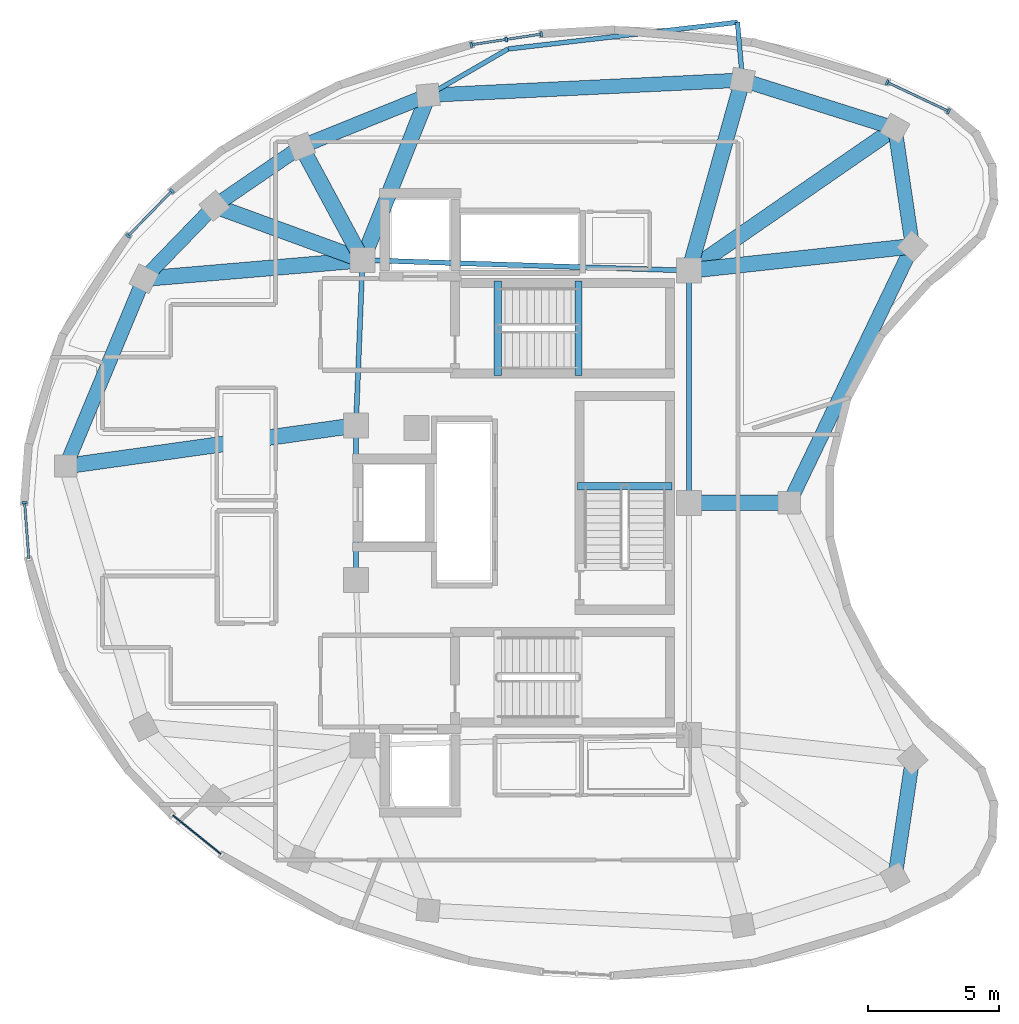
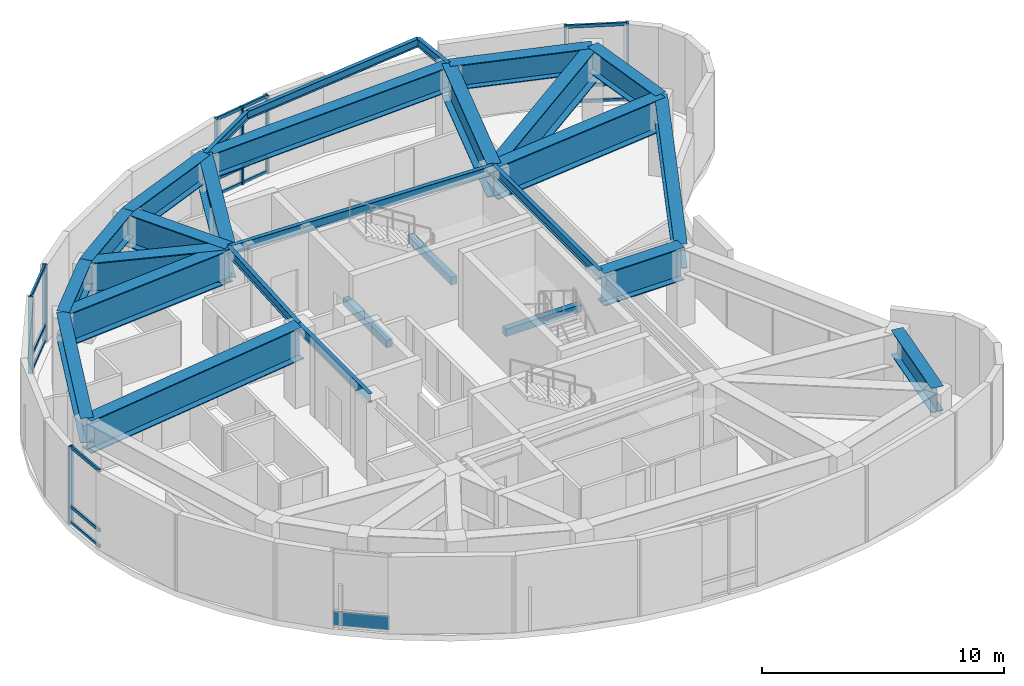
# One storey, part 2 of 8: 28 beams, 23 members, 1 plate, 5 elements without a shape of their own.
"""IFC4 building model written with IfcOpenShell, lengths in metres."""

from ifc_helpers import new_model, si_unit, direction, frame, origin, origin_2d, place, context, subcontext, project, spatial, rectangle, i_section, extrude, material, layer, layer_set, material_profile, profile_set, type_object, element, aggregate, save


model = new_model("IFC4")

# Units and contexts
model_context = context("Model", 3, precision=1e-05, world=origin(), true_north=direction((0.0, 1.0)))
body_context = subcontext(model_context, "Body", "Model", "MODEL_VIEW")
ifc_project = project(units=[si_unit("LENGTHUNIT", "METRE"), si_unit("AREAUNIT", "SQUARE_METRE"), si_unit("VOLUMEUNIT", "CUBIC_METRE"), si_unit("PLANEANGLEUNIT", "RADIAN"), si_unit("MASSUNIT", "GRAM", prefix="KILO")], contexts=[model_context])

# Site, building, storey
site_placement = place(None, origin())
site = spatial("IfcSite", under=ifc_project, at=site_placement, CompositionType="ELEMENT")
building_placement = place(site_placement, origin())
building = spatial("IfcBuilding", under=site, at=building_placement, Name="Korentha Bioscience Tower", CompositionType="ELEMENT")
storey_placement = place(building_placement, frame((0.0, 0.0, 301.800048828125)))
storey = spatial("IfcBuildingStorey", under=building, at=storey_placement, Name="L69", CompositionType="ELEMENT", Elevation=301.800048828125)

# Beams
ifc_material_1 = material(Name="Concrete C50", Category="concrete")
ifc_material_profile_1 = material_profile(ifc_material_1, rectangle(XDim=0.280029296875, YDim=0.3798828125, at=origin_2d()), Name="Concrete C50")
ifc_profile_set_1 = profile_set([ifc_material_profile_1], Name="Concrete C50 (ST-HB380)")
beam_type_1 = type_object("IfcBeamType", Name="Concrete Stair Header Beam RC 280x380", PredefinedType="BEAM", material=ifc_profile_set_1)
for number, where, z_axis, x_axis, name in (
    (1, (30.25, 31.85009765625, -0.18994140625), (0.0, 1.0, 0.0), (-1.0, 0.0, 0.0), "L69 ST-1 Concrete Stair Header Beam"),
    (2, (33.330078125, 31.85009765625, 1.909912109375), (0.0, 1.0, 0.0), (-1.0, 0.0, 0.0), "L69 ST-1 Half-Landing Header Beam 1"),
    (3, (36.89990234375, 27.6298828125, 1.909912109375), (-1.0, 0.0, 0.0), (0.0, -1.0, 0.0), "L69 ST-3 Half-Landing Header Beam 1"),
):
    element("IfcBeam", number, at=place(storey_placement, frame(where, z_axis=z_axis, x_axis=x_axis)), inside=storey, type_object=beam_type_1, Name=name, PredefinedType="BEAM", context=body_context, shape_type="SweptSolid", body=[
        extrude(rectangle(XDim=0.280029296875, YDim=0.3798828125, at=origin_2d()), origin(), (0.0, 0.0, 1.0), 3.599853515625),
    ])
ifc_material_2 = material(Name="Steel S355", Category="steel")
ifc_material_profile_2 = material_profile(ifc_material_2, i_section(OverallWidth=0.550048828125, OverallDepth=1.25, WebThickness=0.02392578125, FlangeThickness=0.0400390625, at=origin_2d()), Name="Steel S355")
ifc_profile_set_2 = profile_set([ifc_material_profile_2], Name="Steel S355 (TG-03)")
beam_type_2 = type_object("IfcBeamType", Name="Crown Step Transfer Girder CVS 1250x510", PredefinedType="USERDEFINED", material=ifc_profile_set_2)
beam_1_placement = place(storey_placement, frame((45.393310546875, 41.273681640625, 3.27490234375), z_axis=(-0.953502720539, 0.301384408895, 0.0), x_axis=(-0.301384408895, -0.953502720539, 0.0)))
element("IfcBeam", 4, at=beam_1_placement, inside=storey, type_object=beam_type_2, Name="L69 Perimeter Spandrel Girder 01", ObjectType="TRANSFER_GIRDER", PredefinedType="USERDEFINED", context=body_context, shape_type="SweptSolid", body=[
    extrude(i_section(OverallWidth=0.550048828125, OverallDepth=1.25, WebThickness=0.02392578125, FlangeThickness=0.0400390625, at=origin_2d()), origin(), (0.0, 0.0, 1.0), 6.094970703125),
])
beam_2_placement = place(storey_placement, frame((39.581787109375, 43.110595703125, 3.27490234375), z_axis=(-0.998842480099, -0.04810093502, 0.0), x_axis=(0.04810093502, -0.998842480099, 0.0)))
element("IfcBeam", 5, at=beam_2_placement, inside=storey, type_object=beam_type_2, Name="L69 Perimeter Spandrel Girder 02", ObjectType="TRANSFER_GIRDER", PredefinedType="USERDEFINED", context=body_context, shape_type="SweptSolid", body=[
    extrude(i_section(OverallWidth=0.550048828125, OverallDepth=1.25, WebThickness=0.02392578125, FlangeThickness=0.0400390625, at=origin_2d()), origin(), (0.0, 0.0, 1.0), 11.99365234375),
])
beam_3_placement = place(storey_placement, frame((27.60205078125, 42.53369140625, 3.27490234375), z_axis=(-0.92709518526, -0.374825982913, 0.0), x_axis=(0.374825982913, -0.92709518526, 0.0)))
element("IfcBeam", 6, at=beam_3_placement, inside=storey, type_object=beam_type_2, Name="L69 Perimeter Spandrel Girder 03", ObjectType="TRANSFER_GIRDER", PredefinedType="USERDEFINED", context=body_context, shape_type="SweptSolid", body=[
    extrude(i_section(OverallWidth=0.550048828125, OverallDepth=1.25, WebThickness=0.02392578125, FlangeThickness=0.0400390625, at=origin_2d()), origin(), (0.0, 0.0, 1.0), 5.216064453125),
])
beam_4_placement = place(storey_placement, frame((22.766357421875, 40.57861328125, 3.27490234375), z_axis=(-0.825502824703, -0.564397985828, 0.0), x_axis=(0.564397985828, -0.825502824703, 0.0)))
element("IfcBeam", 7, at=beam_4_placement, inside=storey, type_object=beam_type_2, Name="L69 Perimeter Spandrel Girder 04", ObjectType="TRANSFER_GIRDER", PredefinedType="USERDEFINED", context=body_context, shape_type="SweptSolid", body=[
    extrude(i_section(OverallWidth=0.550048828125, OverallDepth=1.25, WebThickness=0.02392578125, FlangeThickness=0.0400390625, at=origin_2d()), origin(), (0.0, 0.0, 1.0), 4.01025390625),
])
beam_5_placement = place(storey_placement, frame((19.455810546875, 38.315185546875, 3.27490234375), z_axis=(-0.695771790517, -0.718262915317, 0.0), x_axis=(0.718262915317, -0.695771790517, 0.0)))
element("IfcBeam", 8, at=beam_5_placement, inside=storey, type_object=beam_type_2, Name="L69 Perimeter Spandrel Girder 05", ObjectType="TRANSFER_GIRDER", PredefinedType="USERDEFINED", context=body_context, shape_type="SweptSolid", body=[
    extrude(i_section(OverallWidth=0.550048828125, OverallDepth=1.25, WebThickness=0.02392578125, FlangeThickness=0.0400390625, at=origin_2d()), origin(), (0.0, 0.0, 1.0), 3.8642578125),
])
beam_6_placement = place(storey_placement, frame((16.76708984375, 35.53955078125, 3.27490234375), z_axis=(-0.384693811758, -0.923044241191, 0.0), x_axis=(0.923044241191, -0.384693811758, 0.0)))
element("IfcBeam", 9, at=beam_6_placement, inside=storey, type_object=beam_type_2, Name="L69 Perimeter Spandrel Girder 06", ObjectType="TRANSFER_GIRDER", PredefinedType="USERDEFINED", context=body_context, shape_type="SweptSolid", body=[
    extrude(i_section(OverallWidth=0.550048828125, OverallDepth=1.25, WebThickness=0.02392578125, FlangeThickness=0.0400390625, at=origin_2d()), origin(), (0.0, 0.0, 1.0), 7.736328125),
])
beam_7_placement = place(storey_placement, frame((45.393310546875, 12.726318359375, 3.27490234375), z_axis=(0.146840630252, 0.989160163627, 0.0), x_axis=(-0.989160163627, 0.146840630252, 0.0)))
element("IfcBeam", 10, at=beam_7_placement, inside=storey, type_object=beam_type_2, Name="L69 Perimeter Spandrel Girder 13", ObjectType="TRANSFER_GIRDER", PredefinedType="USERDEFINED", context=body_context, shape_type="SweptSolid", body=[
    extrude(i_section(OverallWidth=0.550048828125, OverallDepth=1.25, WebThickness=0.02392578125, FlangeThickness=0.0400390625, at=origin_2d()), origin(), (0.0, 0.0, 1.0), 4.545654296875),
])
beam_8_placement = place(storey_placement, frame((41.36572265625, 27.0, 3.27490234375), z_axis=(0.432876684637, 0.901453146812, 0.0), x_axis=(-0.901453146812, 0.432876684637, 0.0)))
element("IfcBeam", 11, at=beam_8_placement, inside=storey, type_object=beam_type_2, Name="L69 Perimeter Spandrel Girder 15", ObjectType="TRANSFER_GIRDER", PredefinedType="USERDEFINED", context=body_context, shape_type="SweptSolid", body=[
    extrude(i_section(OverallWidth=0.550048828125, OverallDepth=1.25, WebThickness=0.02392578125, FlangeThickness=0.0400390625, at=origin_2d()), origin(), (0.0, 0.0, 1.0), 10.84619140625),
])
beam_9_placement = place(storey_placement, frame((46.060791015625, 36.77734375, 3.27490234375), z_axis=(-0.146840630252, 0.989160163627, 0.0), x_axis=(-0.989160163627, -0.146840630252, 0.0)))
element("IfcBeam", 12, at=beam_9_placement, inside=storey, type_object=beam_type_2, Name="L69 Perimeter Spandrel Girder 16", ObjectType="TRANSFER_GIRDER", PredefinedType="USERDEFINED", context=body_context, shape_type="SweptSolid", body=[
    extrude(i_section(OverallWidth=0.550048828125, OverallDepth=1.25, WebThickness=0.02392578125, FlangeThickness=0.0400390625, at=origin_2d()), origin(), (0.0, 0.0, 1.0), 4.545654296875),
])
ifc_material_profile_3 = material_profile(ifc_material_2, i_section(OverallWidth=0.60009765625, OverallDepth=1.64990234375, WebThickness=0.02587890625, FlangeThickness=0.0439453125, at=origin_2d()), Name="Steel S355")
ifc_profile_set_3 = profile_set([ifc_material_profile_3], Name="Steel S355 (TG-04)")
beam_type_3 = type_object("IfcBeamType", Name="Deep Setback Transfer Girder CVS 1650x620", PredefinedType="USERDEFINED", material=ifc_profile_set_3)
beam_10_placement = place(storey_placement, frame((37.550048828125, 35.85009765625, 3.074951171875), z_axis=(0.822504520154, 0.56875857297, 0.0), x_axis=(-0.56875857297, 0.822504520154, 0.0)))
element("IfcBeam", 13, at=beam_10_placement, inside=storey, type_object=beam_type_3, Name="L69 Radial Transfer Girder 01", ObjectType="TRANSFER_GIRDER", PredefinedType="USERDEFINED", context=body_context, shape_type="SweptSolid", body=[
    extrude(i_section(OverallWidth=0.60009765625, OverallDepth=1.64990234375, WebThickness=0.02587890625, FlangeThickness=0.0439453125, at=origin_2d()), origin(), (0.0, 0.0, 1.0), 9.535888671875),
])
beam_11_placement = place(storey_placement, frame((37.550048828125, 35.85009765625, 3.074951171875), z_axis=(0.269482185926, 0.963005374579, 0.0), x_axis=(-0.963005374579, 0.269482185926, 0.0)))
element("IfcBeam", 14, at=beam_11_placement, inside=storey, type_object=beam_type_3, Name="L69 Radial Transfer Girder 02", ObjectType="TRANSFER_GIRDER", PredefinedType="USERDEFINED", context=body_context, shape_type="SweptSolid", body=[
    extrude(i_section(OverallWidth=0.60009765625, OverallDepth=1.64990234375, WebThickness=0.02587890625, FlangeThickness=0.0439453125, at=origin_2d()), origin(), (0.0, 0.0, 1.0), 7.539306640625),
])
beam_12_placement = place(storey_placement, frame((25.10009765625, 36.25, 3.074951171875), z_axis=(0.369921439624, 0.929063037962, 0.0), x_axis=(-0.929063037962, 0.369921439624, 0.0)))
element("IfcBeam", 15, at=beam_12_placement, inside=storey, type_object=beam_type_3, Name="L69 Radial Transfer Girder 03", ObjectType="TRANSFER_GIRDER", PredefinedType="USERDEFINED", context=body_context, shape_type="SweptSolid", body=[
    extrude(i_section(OverallWidth=0.60009765625, OverallDepth=1.64990234375, WebThickness=0.02587890625, FlangeThickness=0.0439453125, at=origin_2d()), origin(), (0.0, 0.0, 1.0), 6.763427734375),
])
beam_13_placement = place(storey_placement, frame((25.10009765625, 36.25, 3.074951171875), z_axis=(-0.474564560434, 0.88022069845, 0.0), x_axis=(-0.88022069845, -0.474564560434, 0.0)))
element("IfcBeam", 16, at=beam_13_placement, inside=storey, type_object=beam_type_3, Name="L69 Radial Transfer Girder 04", ObjectType="TRANSFER_GIRDER", PredefinedType="USERDEFINED", context=body_context, shape_type="SweptSolid", body=[
    extrude(i_section(OverallWidth=0.60009765625, OverallDepth=1.64990234375, WebThickness=0.02587890625, FlangeThickness=0.0439453125, at=origin_2d()), origin(), (0.0, 0.0, 1.0), 4.917724609375),
])
beam_14_placement = place(storey_placement, frame((25.10009765625, 36.25, 3.074951171875), z_axis=(-0.9391119825, 0.343611240104, 0.0), x_axis=(-0.343611240104, -0.9391119825, 0.0)))
element("IfcBeam", 17, at=beam_14_placement, inside=storey, type_object=beam_type_3, Name="L69 Radial Transfer Girder 05", ObjectType="TRANSFER_GIRDER", PredefinedType="USERDEFINED", context=body_context, shape_type="SweptSolid", body=[
    extrude(i_section(OverallWidth=0.60009765625, OverallDepth=1.64990234375, WebThickness=0.02587890625, FlangeThickness=0.0439453125, at=origin_2d()), origin(), (0.0, 0.0, 1.0), 6.01025390625),
])
beam_15_placement = place(storey_placement, frame((25.10009765625, 36.25, 3.074951171875), z_axis=(-0.996385295821, -0.084949056921, 0.0), x_axis=(0.084949056921, -0.996385295821, 0.0)))
element("IfcBeam", 18, at=beam_15_placement, inside=storey, type_object=beam_type_3, Name="L69 Radial Transfer Girder 06", ObjectType="TRANSFER_GIRDER", PredefinedType="USERDEFINED", context=body_context, shape_type="SweptSolid", body=[
    extrude(i_section(OverallWidth=0.60009765625, OverallDepth=1.64990234375, WebThickness=0.02587890625, FlangeThickness=0.0439453125, at=origin_2d()), origin(), (0.0, 0.0, 1.0), 8.36328125),
])
beam_16_placement = place(storey_placement, frame((24.85009765625, 29.949951171875, 3.074951171875), z_axis=(-0.99030484903, -0.138911144217, 0.0), x_axis=(0.138911144217, -0.99030484903, 0.0)))
element("IfcBeam", 19, at=beam_16_placement, inside=storey, type_object=beam_type_3, Name="L69 Radial Transfer Girder 07", ObjectType="TRANSFER_GIRDER", PredefinedType="USERDEFINED", context=body_context, shape_type="SweptSolid", body=[
    extrude(i_section(OverallWidth=0.60009765625, OverallDepth=1.64990234375, WebThickness=0.02587890625, FlangeThickness=0.0439453125, at=origin_2d()), origin(), (0.0, 0.0, 1.0), 11.167236328125),
])
beam_17_placement = place(storey_placement, frame((37.550048828125, 27.0, 3.074951171875), z_axis=(1.0, 0.0, 0.0), x_axis=(0.0, 1.0, 0.0)))
element("IfcBeam", 20, at=beam_17_placement, inside=storey, type_object=beam_type_3, Name="L69 Radial Transfer Girder 15", ObjectType="TRANSFER_GIRDER", PredefinedType="USERDEFINED", context=body_context, shape_type="SweptSolid", body=[
    extrude(i_section(OverallWidth=0.60009765625, OverallDepth=1.64990234375, WebThickness=0.02587890625, FlangeThickness=0.0439453125, at=origin_2d()), origin(), (0.0, 0.0, 1.0), 3.815673828125),
])
beam_18_placement = place(storey_placement, frame((37.550048828125, 35.85009765625, 3.074951171875), z_axis=(0.994117259507, 0.108309160975, 0.0), x_axis=(-0.108309160975, 0.994117259507, 0.0)))
element("IfcBeam", 21, at=beam_18_placement, inside=storey, type_object=beam_type_3, Name="L69 Radial Transfer Girder 16", ObjectType="TRANSFER_GIRDER", PredefinedType="USERDEFINED", context=body_context, shape_type="SweptSolid", body=[
    extrude(i_section(OverallWidth=0.60009765625, OverallDepth=1.64990234375, WebThickness=0.02587890625, FlangeThickness=0.0439453125, at=origin_2d()), origin(), (0.0, 0.0, 1.0), 8.56103515625),
])
ifc_material_profile_4 = material_profile(ifc_material_2, i_section(OverallWidth=0.18994140625, OverallDepth=0.45703125, WebThickness=0.009033203125, FlangeThickness=0.014404296875, at=origin_2d()), Name="Steel S355")
ifc_profile_set_4 = profile_set([ifc_material_profile_4], Name="Steel S355 (MB-460)")
beam_type_4 = type_object("IfcBeamType", Name="Mid-Ring Tie Girder W460x74", PredefinedType="BEAM", material=ifc_profile_set_4)
beam_19_placement = place(storey_placement, frame((37.550048828125, 35.85009765625, 3.67138671875), z_axis=(-0.999484526071, 0.032104238723, 0.0), x_axis=(-0.032104238723, -0.999484526071, 0.0)))
element("IfcBeam", 22, at=beam_19_placement, inside=storey, type_object=beam_type_4, Name="L69 Core Ring Tie Girder 01", PredefinedType="BEAM", context=body_context, shape_type="SweptSolid", body=[
    extrude(i_section(OverallWidth=0.18994140625, OverallDepth=0.45703125, WebThickness=0.009033203125, FlangeThickness=0.014404296875, at=origin_2d()), origin(), (0.0, 0.0, 1.0), 12.456298828125),
])
beam_20_placement = place(storey_placement, frame((25.10009765625, 36.25, 3.67138671875), z_axis=(-0.039651025576, -0.999213588864, 0.0), x_axis=(0.999213588864, -0.039651025576, 0.0)))
element("IfcBeam", 23, at=beam_20_placement, inside=storey, type_object=beam_type_4, Name="L69 Core Ring Tie Girder 02", PredefinedType="BEAM", context=body_context, shape_type="SweptSolid", body=[
    extrude(i_section(OverallWidth=0.18994140625, OverallDepth=0.45703125, WebThickness=0.009033203125, FlangeThickness=0.014404296875, at=origin_2d()), origin(), (0.0, 0.0, 1.0), 6.304931640625),
])
beam_21_placement = place(storey_placement, frame((24.85009765625, 29.949951171875, 3.67138671875), z_axis=(0.0, -1.0, 0.0), x_axis=(1.0, 0.0, 0.0)))
element("IfcBeam", 24, at=beam_21_placement, inside=storey, type_object=beam_type_4, Name="L69 Core Ring Tie Girder 03", PredefinedType="BEAM", context=body_context, shape_type="SweptSolid", body=[
    extrude(i_section(OverallWidth=0.18994140625, OverallDepth=0.45703125, WebThickness=0.009033203125, FlangeThickness=0.014404296875, at=origin_2d()), origin(), (0.0, 0.0, 1.0), 5.89990234375),
])
beam_22_placement = place(storey_placement, frame((37.550048828125, 27.0, 3.67138671875), z_axis=(0.0, 1.0, 0.0), x_axis=(-1.0, 0.0, 0.0)))
element("IfcBeam", 25, at=beam_22_placement, inside=storey, type_object=beam_type_4, Name="L69 Core Ring Tie Girder 07", PredefinedType="BEAM", context=body_context, shape_type="SweptSolid", body=[
    extrude(i_section(OverallWidth=0.18994140625, OverallDepth=0.45703125, WebThickness=0.009033203125, FlangeThickness=0.014404296875, at=origin_2d()), origin(), (0.0, 0.0, 1.0), 8.85009765625),
])

# Curtain wall, members
ifc_material_3 = material(Name="Thermally Broken Aluminium Frame", Category="aluminium")
ifc_layer_1 = layer(ifc_material_3, 0.219970703125, Name="Thermally Broken Aluminium Frame")
ifc_layer_set_1 = layer_set([ifc_layer_1], Name="Thermally Broken Aluminium Frame (CW-T1)")
curtain_wall_type = type_object("IfcCurtainWallType", Name="Standard Bioscience Lab Unitised Curtain Wall CW-T1", PredefinedType="USERDEFINED", material=ifc_layer_set_1)
curtain_wall_1_placement = place(storey_placement, origin())
curtain_wall_1 = element("IfcCurtainWall", 26, at=curtain_wall_1_placement, inside=storey, type_object=curtain_wall_type, Name="L69 Curtain Wall 01", ObjectType="UNITISED", PredefinedType="USERDEFINED")
ifc_material_4 = material(Name="Anodised Aluminium 6063-T6", Category="aluminium")
ifc_material_profile_5 = material_profile(ifc_material_4, rectangle(XDim=0.090087890625, YDim=0.199951171875, at=origin_2d()), Name="Anodised Aluminium 6063-T6")
ifc_profile_set_5 = profile_set([ifc_material_profile_5], Name="Anodised Aluminium 6063-T6 (CW-MUL)")
member_type_1 = type_object("IfcMemberType", Name="Mullion RECT 90x200", PredefinedType="MULLION", material=ifc_profile_set_5)
member_1_placement = place(storey_placement, frame((47.439697265625, 41.922607421875, 0.0), z_axis=(0.0, 0.0, 1.0), x_axis=(-0.904397382054, 0.426691194347, 0.0)))
member_1 = element("IfcMember", 27, at=member_1_placement, type_object=member_type_1, Name="CW-L69-01 Mullion 1", PredefinedType="MULLION", context=body_context, shape_type="SweptSolid", body=[
    extrude(rectangle(XDim=0.090087890625, YDim=0.199951171875, at=origin_2d()), origin(), (0.0, 0.0, 1.0), 3.89990234375),
])
member_2_placement = place(storey_placement, frame((45.095703125, 43.028564453125, 0.0), z_axis=(0.0, 0.0, 1.0), x_axis=(-0.904397382054, 0.426691194347, 0.0)))
member_2 = element("IfcMember", 28, at=member_2_placement, type_object=member_type_1, Name="CW-L69-01 Mullion 2", PredefinedType="MULLION", context=body_context, shape_type="SweptSolid", body=[
    extrude(rectangle(XDim=0.090087890625, YDim=0.199951171875, at=origin_2d()), origin(), (0.0, 0.0, 1.0), 3.89990234375),
])

curtain_wall_2_placement = place(storey_placement, origin())
curtain_wall_2 = element("IfcCurtainWall", 29, at=curtain_wall_2_placement, inside=storey, type_object=curtain_wall_type, Name="L69 Curtain Wall 07", ObjectType="UNITISED", PredefinedType="USERDEFINED")
member_3_placement = place(storey_placement, frame((31.914794921875, 44.864501953125, 0.0), z_axis=(0.0, 0.0, 1.0), x_axis=(-0.988621035391, -0.150427551942, 0.0)))
member_3 = element("IfcMember", 30, at=member_3_placement, type_object=member_type_1, Name="CW-L69-07 Mullion 1", PredefinedType="MULLION", context=body_context, shape_type="SweptSolid", body=[
    extrude(rectangle(XDim=0.090087890625, YDim=0.199951171875, at=origin_2d()), origin(), (0.0, 0.0, 1.0), 3.89990234375),
])
member_4_placement = place(storey_placement, frame((30.577880859375, 44.660888671875, 0.0), z_axis=(0.0, 0.0, 1.0), x_axis=(-0.988621035391, -0.150427551942, 0.0)))
member_4 = element("IfcMember", 31, at=member_4_placement, type_object=member_type_1, Name="CW-L69-07 Mullion 2", PredefinedType="MULLION", context=body_context, shape_type="SweptSolid", body=[
    extrude(rectangle(XDim=0.090087890625, YDim=0.199951171875, at=origin_2d()), origin(), (0.0, 0.0, 1.0), 3.89990234375),
])
member_5_placement = place(storey_placement, frame((29.240966796875, 44.45751953125, 0.0), z_axis=(0.0, 0.0, 1.0), x_axis=(-0.988621035391, -0.150427551942, 0.0)))
member_5 = element("IfcMember", 32, at=member_5_placement, type_object=member_type_1, Name="CW-L69-07 Mullion 3", PredefinedType="MULLION", context=body_context, shape_type="SweptSolid", body=[
    extrude(rectangle(XDim=0.090087890625, YDim=0.199951171875, at=origin_2d()), origin(), (0.0, 0.0, 1.0), 3.89990234375),
])

curtain_wall_3_placement = place(storey_placement, origin())
curtain_wall_3 = element("IfcCurtainWall", 33, at=curtain_wall_3_placement, inside=storey, type_object=curtain_wall_type, Name="L69 Curtain Wall 13", ObjectType="UNITISED", PredefinedType="USERDEFINED")
member_6_placement = place(storey_placement, frame((17.836181640625, 38.886474609375, 0.0), z_axis=(0.0, 0.0, 1.0), x_axis=(-0.697567217128, -0.716519349067, 0.0)))
member_6 = element("IfcMember", 34, at=member_6_placement, type_object=member_type_1, Name="CW-L69-13 Mullion 1", PredefinedType="MULLION", context=body_context, shape_type="SweptSolid", body=[
    extrude(rectangle(XDim=0.090087890625, YDim=0.199951171875, at=origin_2d()), origin(), (0.0, 0.0, 1.0), 3.89990234375),
])
member_7_placement = place(storey_placement, frame((16.16552734375, 37.170166015625, 0.0), z_axis=(0.0, 0.0, 1.0), x_axis=(-0.697567217128, -0.716519349067, 0.0)))
member_7 = element("IfcMember", 35, at=member_7_placement, type_object=member_type_1, Name="CW-L69-13 Mullion 2", PredefinedType="MULLION", context=body_context, shape_type="SweptSolid", body=[
    extrude(rectangle(XDim=0.090087890625, YDim=0.199951171875, at=origin_2d()), origin(), (0.0, 0.0, 1.0), 3.89990234375),
])

# Curtain wall, member
curtain_wall_4_placement = place(storey_placement, origin())
curtain_wall_4 = element("IfcCurtainWall", 36, at=curtain_wall_4_placement, inside=storey, type_object=curtain_wall_type, Name="L69 Curtain Wall 19", ObjectType="UNITISED", PredefinedType="USERDEFINED")
member_8_placement = place(storey_placement, frame((12.220947265625, 27.007080078125, 0.0), z_axis=(0.0, 0.0, 1.0), x_axis=(0.075073021346, -0.997178039001, 0.0)))
member_8 = element("IfcMember", 37, at=member_8_placement, type_object=member_type_1, Name="CW-L69-19 Mullion 1", PredefinedType="MULLION", context=body_context, shape_type="SweptSolid", body=[
    extrude(rectangle(XDim=0.090087890625, YDim=0.199951171875, at=origin_2d()), origin(), (0.0, 0.0, 1.0), 3.89990234375),
])

# Beams
ifc_material_profile_6 = material_profile(ifc_material_2, i_section(OverallWidth=0.177978515625, OverallDepth=0.406982421875, WebThickness=0.0078125, FlangeThickness=0.0126953125, at=origin_2d()), Name="Steel S355")
ifc_profile_set_6 = profile_set([ifc_material_profile_6], Name="Steel S355 (CB-410)")
beam_type_5 = type_object("IfcBeamType", Name="Sun-Ledge Cantilever Beam W410x60", PredefinedType="BEAM", material=ifc_profile_set_6)
beam_23_placement = place(storey_placement, frame((39.581787109375, 43.110595703125, 3.698486328125), z_axis=(-0.086253121859, 0.996273255171, 0.0), x_axis=(-0.996273255171, -0.086253121859, 0.0)))
element("IfcBeam", 38, at=beam_23_placement, inside=storey, type_object=beam_type_5, Name="L69 Balcony Cantilever Bracket A-L70-01", PredefinedType="BEAM", context=body_context, shape_type="SweptSolid", body=[
    extrude(i_section(OverallWidth=0.177978515625, OverallDepth=0.406982421875, WebThickness=0.0078125, FlangeThickness=0.0126953125, at=origin_2d()), origin(), (0.0, 0.0, 1.0), 2.210693359375),
])
beam_24_placement = place(storey_placement, frame((27.60205078125, 42.53369140625, 3.698486328125), z_axis=(0.865459524013, 0.500978854139, 0.0), x_axis=(-0.500978854139, 0.865459524013, 0.0)))
element("IfcBeam", 39, at=beam_24_placement, inside=storey, type_object=beam_type_5, Name="L69 Balcony Cantilever Bracket B-L70-01", PredefinedType="BEAM", context=body_context, shape_type="SweptSolid", body=[
    extrude(i_section(OverallWidth=0.177978515625, OverallDepth=0.406982421875, WebThickness=0.0078125, FlangeThickness=0.0126953125, at=origin_2d()), origin(), (0.0, 0.0, 1.0), 3.52001953125),
])
beam_25_placement = place(storey_placement, frame((39.39111328125, 45.31298828125, 3.698486328125), z_axis=(-0.993316776141, -0.115420025287, 0.0), x_axis=(0.115420025287, -0.993316776141, 0.0)))
element("IfcBeam", 40, at=beam_25_placement, inside=storey, type_object=beam_type_5, Name="L69 Balcony Edge Trimmer Beam L70-01", PredefinedType="BEAM", context=body_context, shape_type="SweptSolid", body=[
    extrude(i_section(OverallWidth=0.177978515625, OverallDepth=0.406982421875, WebThickness=0.0078125, FlangeThickness=0.0126953125, at=origin_2d()), origin(), (0.0, 0.0, 1.0), 8.801513671875),
])

# Member
ifc_material_profile_7 = material_profile(ifc_material_4, rectangle(XDim=0.090087890625, YDim=0.159912109375, at=origin_2d()), Name="Anodised Aluminium 6063-T6")
ifc_profile_set_7 = profile_set([ifc_material_profile_7], Name="Anodised Aluminium 6063-T6 (CW-TRN)")
member_type_2 = type_object("IfcMemberType", Name="Transom RECT 90x160", PredefinedType="USERDEFINED", material=ifc_profile_set_7)
member_9_placement = place(storey_placement, frame((47.39892578125, 41.94189453125, 0.044921875), z_axis=(-0.904402460023, 0.426680431124, 0.0), x_axis=(-0.426680431124, -0.904402460023, 0.0)))
member_9 = element("IfcMember", 41, at=member_9_placement, type_object=member_type_2, Name="CW-L69-01 Bay 1 Transom 1", ObjectType="TRANSOM", PredefinedType="USERDEFINED", context=body_context, shape_type="SweptSolid", body=[
    extrude(rectangle(XDim=0.090087890625, YDim=0.159912109375, at=origin_2d()), origin(), (0.0, 0.0, 1.0), 2.501708984375),
])

member_10_placement = place(storey_placement, frame((47.39892578125, 41.94189453125, 0.849853515625), z_axis=(-0.904402460023, 0.426680431124, 0.0), x_axis=(-0.426680431124, -0.904402460023, 0.0)))
member_10 = element("IfcMember", 42, at=member_10_placement, type_object=member_type_2, Name="CW-L69-01 Bay 1 Transom 2", ObjectType="TRANSOM", PredefinedType="USERDEFINED", context=body_context, shape_type="SweptSolid", body=[
    extrude(rectangle(XDim=0.090087890625, YDim=0.159912109375, at=origin_2d()), origin(), (0.0, 0.0, 1.0), 2.501708984375),
])

member_11_placement = place(storey_placement, frame((47.39892578125, 41.94189453125, 3.85498046875), z_axis=(-0.904402460023, 0.426680431124, 0.0), x_axis=(-0.426680431124, -0.904402460023, 0.0)))
member_11 = element("IfcMember", 43, at=member_11_placement, type_object=member_type_2, Name="CW-L69-01 Bay 1 Transom 3", ObjectType="TRANSOM", PredefinedType="USERDEFINED", context=body_context, shape_type="SweptSolid", body=[
    extrude(rectangle(XDim=0.090087890625, YDim=0.159912109375, at=origin_2d()), origin(), (0.0, 0.0, 1.0), 2.501708984375),
])

aggregate(curtain_wall_1, [member_1, member_2, member_9, member_10, member_11])

member_12_placement = place(storey_placement, frame((31.870361328125, 44.857666015625, 0.044921875), z_axis=(-0.988616336068, -0.150458432993, 0.0), x_axis=(0.150458432993, -0.988616336068, 0.0)))
member_12 = element("IfcMember", 44, at=member_12_placement, type_object=member_type_2, Name="CW-L69-07 Bay 1 Transom 1", ObjectType="TRANSOM", PredefinedType="USERDEFINED", context=body_context, shape_type="SweptSolid", body=[
    extrude(rectangle(XDim=0.090087890625, YDim=0.159912109375, at=origin_2d()), origin(), (0.0, 0.0, 1.0), 1.262451171875),
])

member_13_placement = place(storey_placement, frame((31.870361328125, 44.857666015625, 0.849853515625), z_axis=(-0.988616336068, -0.150458432993, 0.0), x_axis=(0.150458432993, -0.988616336068, 0.0)))
member_13 = element("IfcMember", 45, at=member_13_placement, type_object=member_type_2, Name="CW-L69-07 Bay 1 Transom 2", ObjectType="TRANSOM", PredefinedType="USERDEFINED", context=body_context, shape_type="SweptSolid", body=[
    extrude(rectangle(XDim=0.090087890625, YDim=0.159912109375, at=origin_2d()), origin(), (0.0, 0.0, 1.0), 1.262451171875),
])

member_14_placement = place(storey_placement, frame((31.870361328125, 44.857666015625, 3.85498046875), z_axis=(-0.988616336068, -0.150458432993, 0.0), x_axis=(0.150458432993, -0.988616336068, 0.0)))
member_14 = element("IfcMember", 46, at=member_14_placement, type_object=member_type_2, Name="CW-L69-07 Bay 1 Transom 3", ObjectType="TRANSOM", PredefinedType="USERDEFINED", context=body_context, shape_type="SweptSolid", body=[
    extrude(rectangle(XDim=0.090087890625, YDim=0.159912109375, at=origin_2d()), origin(), (0.0, 0.0, 1.0), 1.262451171875),
])

member_15_placement = place(storey_placement, frame((30.533447265625, 44.654296875, 0.044921875), z_axis=(-0.988616336068, -0.150458432993, 0.0), x_axis=(0.150458432993, -0.988616336068, 0.0)))
member_15 = element("IfcMember", 47, at=member_15_placement, type_object=member_type_2, Name="CW-L69-07 Bay 2 Transom 1", ObjectType="TRANSOM", PredefinedType="USERDEFINED", context=body_context, shape_type="SweptSolid", body=[
    extrude(rectangle(XDim=0.090087890625, YDim=0.159912109375, at=origin_2d()), origin(), (0.0, 0.0, 1.0), 1.262451171875),
])

member_16_placement = place(storey_placement, frame((30.533447265625, 44.654296875, 0.849853515625), z_axis=(-0.988616336068, -0.150458432993, 0.0), x_axis=(0.150458432993, -0.988616336068, 0.0)))
member_16 = element("IfcMember", 48, at=member_16_placement, type_object=member_type_2, Name="CW-L69-07 Bay 2 Transom 2", ObjectType="TRANSOM", PredefinedType="USERDEFINED", context=body_context, shape_type="SweptSolid", body=[
    extrude(rectangle(XDim=0.090087890625, YDim=0.159912109375, at=origin_2d()), origin(), (0.0, 0.0, 1.0), 1.262451171875),
])

member_17_placement = place(storey_placement, frame((30.533447265625, 44.654296875, 3.85498046875), z_axis=(-0.988616336068, -0.150458432993, 0.0), x_axis=(0.150458432993, -0.988616336068, 0.0)))
member_17 = element("IfcMember", 49, at=member_17_placement, type_object=member_type_2, Name="CW-L69-07 Bay 2 Transom 3", ObjectType="TRANSOM", PredefinedType="USERDEFINED", context=body_context, shape_type="SweptSolid", body=[
    extrude(rectangle(XDim=0.090087890625, YDim=0.159912109375, at=origin_2d()), origin(), (0.0, 0.0, 1.0), 1.262451171875),
])

aggregate(curtain_wall_2, [member_3, member_4, member_5, member_12, member_13, member_14, member_15, member_16, member_17])

member_18_placement = place(storey_placement, frame((17.804931640625, 38.85400390625, 0.044921875), z_axis=(-0.697563742003, -0.716522732258, 0.0), x_axis=(0.716522732258, -0.697563742003, 0.0)))
member_18 = element("IfcMember", 50, at=member_18_placement, type_object=member_type_2, Name="CW-L69-13 Bay 1 Transom 1", ObjectType="TRANSOM", PredefinedType="USERDEFINED", context=body_context, shape_type="SweptSolid", body=[
    extrude(rectangle(XDim=0.090087890625, YDim=0.159912109375, at=origin_2d()), origin(), (0.0, 0.0, 1.0), 2.304931640625),
])

member_19_placement = place(storey_placement, frame((17.804931640625, 38.85400390625, 0.849853515625), z_axis=(-0.697563742003, -0.716522732258, 0.0), x_axis=(0.716522732258, -0.697563742003, 0.0)))
member_19 = element("IfcMember", 51, at=member_19_placement, type_object=member_type_2, Name="CW-L69-13 Bay 1 Transom 2", ObjectType="TRANSOM", PredefinedType="USERDEFINED", context=body_context, shape_type="SweptSolid", body=[
    extrude(rectangle(XDim=0.090087890625, YDim=0.159912109375, at=origin_2d()), origin(), (0.0, 0.0, 1.0), 2.304931640625),
])

member_20_placement = place(storey_placement, frame((17.804931640625, 38.85400390625, 3.85498046875), z_axis=(-0.697563742003, -0.716522732258, 0.0), x_axis=(0.716522732258, -0.697563742003, 0.0)))
member_20 = element("IfcMember", 52, at=member_20_placement, type_object=member_type_2, Name="CW-L69-13 Bay 1 Transom 3", ObjectType="TRANSOM", PredefinedType="USERDEFINED", context=body_context, shape_type="SweptSolid", body=[
    extrude(rectangle(XDim=0.090087890625, YDim=0.159912109375, at=origin_2d()), origin(), (0.0, 0.0, 1.0), 2.304931640625),
])

aggregate(curtain_wall_3, [member_6, member_7, member_18, member_19, member_20])

member_21_placement = place(storey_placement, frame((12.224365234375, 26.962158203125, 0.044921875), z_axis=(0.075022717108, -0.997181824903, 0.0), x_axis=(0.997181824903, 0.075022717108, 0.0)))
member_21 = element("IfcMember", 53, at=member_21_placement, type_object=member_type_2, Name="CW-L69-19 Bay 1 Transom 1", ObjectType="TRANSOM", PredefinedType="USERDEFINED", context=body_context, shape_type="SweptSolid", body=[
    extrude(rectangle(XDim=0.090087890625, YDim=0.159912109375, at=origin_2d()), origin(), (0.0, 0.0, 1.0), 2.0859375),
])

member_22_placement = place(storey_placement, frame((12.224365234375, 26.962158203125, 0.849853515625), z_axis=(0.075022717108, -0.997181824903, 0.0), x_axis=(0.997181824903, 0.075022717108, 0.0)))
member_22 = element("IfcMember", 54, at=member_22_placement, type_object=member_type_2, Name="CW-L69-19 Bay 1 Transom 2", ObjectType="TRANSOM", PredefinedType="USERDEFINED", context=body_context, shape_type="SweptSolid", body=[
    extrude(rectangle(XDim=0.090087890625, YDim=0.159912109375, at=origin_2d()), origin(), (0.0, 0.0, 1.0), 2.0859375),
])

member_23_placement = place(storey_placement, frame((12.224365234375, 26.962158203125, 3.85498046875), z_axis=(0.075022717108, -0.997181824903, 0.0), x_axis=(0.997181824903, 0.075022717108, 0.0)))
member_23 = element("IfcMember", 55, at=member_23_placement, type_object=member_type_2, Name="CW-L69-19 Bay 1 Transom 3", ObjectType="TRANSOM", PredefinedType="USERDEFINED", context=body_context, shape_type="SweptSolid", body=[
    extrude(rectangle(XDim=0.090087890625, YDim=0.159912109375, at=origin_2d()), origin(), (0.0, 0.0, 1.0), 2.0859375),
])

aggregate(curtain_wall_4, [member_8, member_21, member_22, member_23])

# Curtain wall, plate
curtain_wall_5_placement = place(storey_placement, origin())
curtain_wall_5 = element("IfcCurtainWall", 56, at=curtain_wall_5_placement, inside=storey, type_object=curtain_wall_type, Name="L69 Curtain Wall 25", ObjectType="UNITISED", PredefinedType="USERDEFINED")
ifc_material_5 = material(Name="Triple-Glazed Low-E Insulated Glass", Category="glass")
ifc_layer_2 = layer(ifc_material_5, 0.0439453125, Name="Triple-Glazed Low-E Insulated Glass")
ifc_layer_set_2 = layer_set([ifc_layer_2], Name="Triple-Glazed Low-E Insulated Glass (GL-44)")
plate_type = type_object("IfcPlateType", Name="Glazed Panel 44mm", PredefinedType="CURTAIN_PANEL", material=ifc_layer_set_2)
plate_placement = place(storey_placement, frame((18.787841796875, 14.34814453125, 0.08984375), z_axis=(0.0, 0.0, 1.0), x_axis=(0.778807101094, -0.62726350068, 0.0)))
plate = element("IfcPlate", 57, at=plate_placement, type_object=plate_type, Name="CW-L69-25 Bay 1 Glazed Panel 1", PredefinedType="CURTAIN_PANEL", context=body_context, shape_type="SweptSolid", body=[
    extrude(rectangle(XDim=2.37109375, YDim=0.0439453125, at=origin_2d()), origin(), (0.0, 0.0, 1.0), 0.715087890625),
])
aggregate(curtain_wall_5, [plate])

save(model, "model.ifc")
